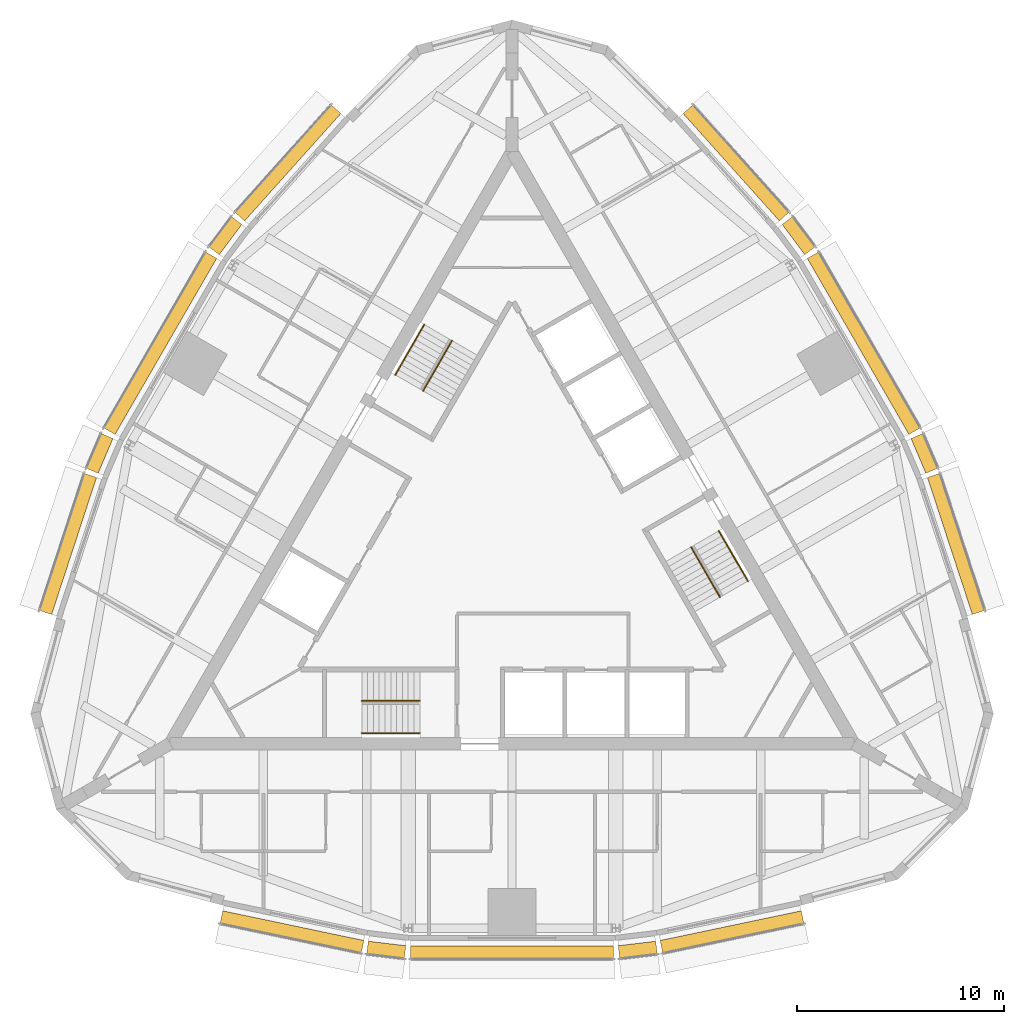
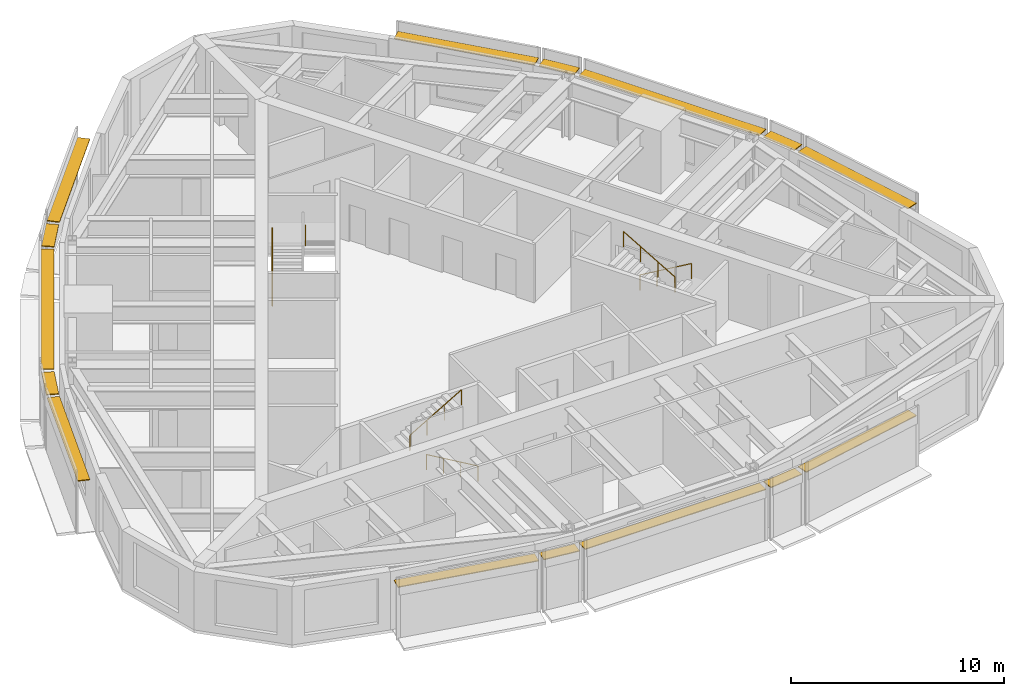
# One storey, part 12 of 12: 15 shading devices, 6 railings.
"""IFC4 building model written with IfcOpenShell, lengths in metres."""

from ifc_helpers import new_model, si_unit, direction, frame, origin, origin_2d, place, context, subcontext, project, spatial, rectangle, circle, extrude, material, type_object, element, save


model = new_model("IFC4")

# Units and contexts
model_context = context("Model", 3, precision=1e-05, world=origin(), true_north=direction((0.0, 1.0)))
body_context = subcontext(model_context, "Body", "Model", "MODEL_VIEW")
ifc_project = project(units=[si_unit("LENGTHUNIT", "METRE"), si_unit("AREAUNIT", "SQUARE_METRE"), si_unit("VOLUMEUNIT", "CUBIC_METRE"), si_unit("PLANEANGLEUNIT", "RADIAN"), si_unit("MASSUNIT", "GRAM", prefix="KILO")], contexts=[model_context])

# Site, building, storey
site_placement = place(None, origin())
site = spatial("IfcSite", under=ifc_project, at=site_placement, CompositionType="ELEMENT")
building_placement = place(site_placement, origin())
building = spatial("IfcBuilding", under=site, at=building_placement, Name="Trikona Tower", CompositionType="ELEMENT")
storey_placement = place(building_placement, frame((0.0, 0.0, 271.699951171875)))
storey = spatial("IfcBuildingStorey", under=building, at=storey_placement, Name="L72", CompositionType="ELEMENT", Elevation=271.699951171875)

# Shading devices
ifc_material_1 = material(Name="Aluminium louvre blade, pale anodised", Category="aluminium")
shading_device_type = type_object("IfcShadingDeviceType", Name="Cavity louvre 600", PredefinedType="USERDEFINED", material=ifc_material_1)
shading_device_1_placement = place(storey_placement, frame((-10.6162109375, -18.6083984375, 2.97509765625), z_axis=(0.0, 0.0, 1.0), x_axis=(0.97865342171, -0.205517590916, 0.0)))
element("IfcShadingDevice", 1, at=shading_device_1_placement, inside=storey, type_object=shading_device_type, Name="Cavity louvre L72-00", ObjectType="LOUVRE", PredefinedType="USERDEFINED", context=body_context, shape_type="SweptSolid", body=[
    extrude(rectangle(XDim=6.962646484375, YDim=0.60009765625, at=origin_2d()), origin(), (0.0, 0.0, 1.0), 0.050048828125),
])
shading_device_2_placement = place(storey_placement, frame((-6.0673828125, -19.471435546875, 2.97509765625), z_axis=(0.0, 0.0, 1.0), x_axis=(0.992876783199, -0.11914568135, 0.0)))
element("IfcShadingDevice", 2, at=shading_device_2_placement, inside=storey, type_object=shading_device_type, Name="Cavity louvre L72-01", ObjectType="LOUVRE", PredefinedType="USERDEFINED", context=body_context, shape_type="SweptSolid", body=[
    extrude(rectangle(XDim=1.82421875, YDim=0.60009765625, at=origin_2d()), origin(), (0.0, 0.0, 1.0), 0.050048828125),
])
shading_device_3_placement = place(storey_placement, frame((0.0, -19.595458984375, 2.97509765625), z_axis=(0.0, 0.0, 1.0), x_axis=(1.0, 0.0, 0.0)))
element("IfcShadingDevice", 3, at=shading_device_3_placement, inside=storey, type_object=shading_device_type, Name="Cavity louvre L72-02", ObjectType="LOUVRE", PredefinedType="USERDEFINED", context=body_context, shape_type="SweptSolid", body=[
    extrude(rectangle(XDim=9.81005859375, YDim=0.60009765625, at=origin_2d()), origin(), (0.0, 0.0, 1.0), 0.050048828125),
])
shading_device_4_placement = place(storey_placement, frame((6.0673828125, -19.471435546875, 2.97509765625), z_axis=(0.0, 0.0, 1.0), x_axis=(0.992876783199, 0.11914568135, 0.0)))
element("IfcShadingDevice", 4, at=shading_device_4_placement, inside=storey, type_object=shading_device_type, Name="Cavity louvre L72-03", ObjectType="LOUVRE", PredefinedType="USERDEFINED", context=body_context, shape_type="SweptSolid", body=[
    extrude(rectangle(XDim=1.82421875, YDim=0.60009765625, at=origin_2d()), origin(), (0.0, 0.0, 1.0), 0.050048828125),
])
for number, where, z_axis, x_axis, name in (
    (5, (10.6162109375, -18.6083984375, 2.97509765625), (0.0, 0.0, 1.0), (0.97865342171, 0.205517590916, 0.0), "Cavity louvre L72-04"),
    (6, (21.423583984375, 0.1103515625, 2.97509765625), (0.0, 0.0, 1.0), (-0.311336621861, 0.950299693722, 0.0), "Cavity louvre L72-09"),
):
    element("IfcShadingDevice", number, at=place(storey_placement, frame(where, z_axis=z_axis, x_axis=x_axis)), inside=storey, type_object=shading_device_type, Name=name, ObjectType="LOUVRE", PredefinedType="USERDEFINED", context=body_context, shape_type="SweptSolid", body=[
        extrude(rectangle(XDim=6.962646484375, YDim=0.60009765625, at=origin_2d()), origin(), (0.0, 0.0, 1.0), 0.050048828125),
    ])
shading_device_5_placement = place(storey_placement, frame((19.896484375, 4.481201171875, 2.97509765625), z_axis=(0.0, 0.0, 1.0), x_axis=(-0.39328408933, 0.919417002823, 0.0)))
element("IfcShadingDevice", 7, at=shading_device_5_placement, inside=storey, type_object=shading_device_type, Name="Cavity louvre L72-10", ObjectType="LOUVRE", PredefinedType="USERDEFINED", context=body_context, shape_type="SweptSolid", body=[
    extrude(rectangle(XDim=1.82421875, YDim=0.60009765625, at=origin_2d()), origin(), (0.0, 0.0, 1.0), 0.050048828125),
])
shading_device_6_placement = place(storey_placement, frame((16.97021484375, 9.797607421875, 2.97509765625), z_axis=(0.0, 0.0, 1.0), x_axis=(-0.4999984885, 0.866026276448, 0.0)))
element("IfcShadingDevice", 8, at=shading_device_6_placement, inside=storey, type_object=shading_device_type, Name="Cavity louvre L72-11", ObjectType="LOUVRE", PredefinedType="USERDEFINED", context=body_context, shape_type="SweptSolid", body=[
    extrude(rectangle(XDim=9.81005859375, YDim=0.60009765625, at=origin_2d()), origin(), (0.0, 0.0, 1.0), 0.050048828125),
])
shading_device_7_placement = place(storey_placement, frame((13.8291015625, 14.990234375, 2.97509765625), z_axis=(0.0, 0.0, 1.0), x_axis=(-0.599618784879, 0.800285769472, 0.0)))
element("IfcShadingDevice", 9, at=shading_device_7_placement, inside=storey, type_object=shading_device_type, Name="Cavity louvre L72-12", ObjectType="LOUVRE", PredefinedType="USERDEFINED", context=body_context, shape_type="SweptSolid", body=[
    extrude(rectangle(XDim=1.82421875, YDim=0.60009765625, at=origin_2d()), origin(), (0.0, 0.0, 1.0), 0.050048828125),
])
for number, where, z_axis, x_axis, name in (
    (10, (10.807373046875, 18.498046875, 2.97509765625), (0.0, 0.0, 1.0), (-0.667311465398, 0.744778764566, 0.0), "Cavity louvre L72-13"),
    (11, (-10.807373046875, 18.498046875, 2.97509765625), (0.0, 0.0, 1.0), (-0.667311465398, -0.744778764566, 0.0), "Cavity louvre L72-18"),
):
    element("IfcShadingDevice", number, at=place(storey_placement, frame(where, z_axis=z_axis, x_axis=x_axis)), inside=storey, type_object=shading_device_type, Name=name, ObjectType="LOUVRE", PredefinedType="USERDEFINED", context=body_context, shape_type="SweptSolid", body=[
        extrude(rectangle(XDim=6.962646484375, YDim=0.60009765625, at=origin_2d()), origin(), (0.0, 0.0, 1.0), 0.050048828125),
    ])
shading_device_8_placement = place(storey_placement, frame((-13.8291015625, 14.990234375, 2.97509765625), z_axis=(0.0, 0.0, 1.0), x_axis=(-0.599618784879, -0.800285769472, 0.0)))
element("IfcShadingDevice", 12, at=shading_device_8_placement, inside=storey, type_object=shading_device_type, Name="Cavity louvre L72-19", ObjectType="LOUVRE", PredefinedType="USERDEFINED", context=body_context, shape_type="SweptSolid", body=[
    extrude(rectangle(XDim=1.82421875, YDim=0.60009765625, at=origin_2d()), origin(), (0.0, 0.0, 1.0), 0.050048828125),
])
shading_device_9_placement = place(storey_placement, frame((-16.97021484375, 9.797607421875, 2.97509765625), z_axis=(0.0, 0.0, 1.0), x_axis=(-0.4999984885, -0.866026276448, 0.0)))
element("IfcShadingDevice", 13, at=shading_device_9_placement, inside=storey, type_object=shading_device_type, Name="Cavity louvre L72-20", ObjectType="LOUVRE", PredefinedType="USERDEFINED", context=body_context, shape_type="SweptSolid", body=[
    extrude(rectangle(XDim=9.81005859375, YDim=0.60009765625, at=origin_2d()), origin(), (0.0, 0.0, 1.0), 0.050048828125),
])
shading_device_10_placement = place(storey_placement, frame((-19.896484375, 4.481201171875, 2.97509765625), z_axis=(0.0, 0.0, 1.0), x_axis=(-0.39328408933, -0.919417002823, 0.0)))
element("IfcShadingDevice", 14, at=shading_device_10_placement, inside=storey, type_object=shading_device_type, Name="Cavity louvre L72-21", ObjectType="LOUVRE", PredefinedType="USERDEFINED", context=body_context, shape_type="SweptSolid", body=[
    extrude(rectangle(XDim=1.82421875, YDim=0.60009765625, at=origin_2d()), origin(), (0.0, 0.0, 1.0), 0.050048828125),
])
shading_device_11_placement = place(storey_placement, frame((-21.423583984375, 0.1103515625, 2.97509765625), z_axis=(0.0, 0.0, 1.0), x_axis=(-0.311336621861, -0.950299693722, 0.0)))
element("IfcShadingDevice", 15, at=shading_device_11_placement, inside=storey, type_object=shading_device_type, Name="Cavity louvre L72-22", ObjectType="LOUVRE", PredefinedType="USERDEFINED", context=body_context, shape_type="SweptSolid", body=[
    extrude(rectangle(XDim=6.962646484375, YDim=0.60009765625, at=origin_2d()), origin(), (0.0, 0.0, 1.0), 0.050048828125),
])

# Railings
ifc_material_2 = material(Name="Stainless steel handrail", Category="steel")
railing_type = type_object("IfcRailingType", Name="Stair handrail", PredefinedType="HANDRAIL", material=ifc_material_2)
railing_1_placement = place(storey_placement, frame((-4.449951171875, -9.016357421875, 0.16357421875)))
element("IfcRailing", 16, at=railing_1_placement, inside=storey, type_object=railing_type, Name="Stair handrail A L72 1", PredefinedType="HANDRAIL", context=body_context, shape_type="SweptSolid", body=[
    extrude(circle(Radius=0.02392578125, at=origin_2d()), frame((0.0, 0.0, 0.8759765625), z_axis=(-0.863360870873, 0.0, 0.504586966384), x_axis=(0.0, -1.0, 0.0)), (0.0, 0.0, 1.0), 3.2431640625),
    extrude(circle(Radius=0.02099609375, at=origin_2d()), origin(), (0.0, 0.0, 1.0), 0.851806640625),
    extrude(circle(Radius=0.02099609375, at=origin_2d()), frame((-0.933349609375, 0.0, 0.54541015625)), (0.0, 0.0, 1.0), 0.851806640625),
    extrude(circle(Radius=0.02099609375, at=origin_2d()), frame((-1.86669921875, 0.0, 1.091064453125)), (0.0, 0.0, 1.0), 0.851806640625),
    extrude(circle(Radius=0.02099609375, at=origin_2d()), frame((-2.800048828125, 0.0, 1.636474609375)), (0.0, 0.0, 1.0), 0.851806640625),
])
railing_2_placement = place(storey_placement, frame((-7.25, -7.46630859375, 1.963623046875)))
element("IfcRailing", 17, at=railing_2_placement, inside=storey, type_object=railing_type, Name="Stair handrail A L72 2", PredefinedType="HANDRAIL", context=body_context, shape_type="SweptSolid", body=[
    extrude(circle(Radius=0.02392578125, at=origin_2d()), frame((0.0, 0.0, 0.8759765625), z_axis=(0.863360870873, 0.0, 0.504586966384), x_axis=(0.0, 1.0, 0.0)), (0.0, 0.0, 1.0), 3.2431640625),
    extrude(circle(Radius=0.02099609375, at=origin_2d()), origin(), (0.0, 0.0, 1.0), 0.851806640625),
    extrude(circle(Radius=0.02099609375, at=origin_2d()), frame((0.933349609375, 0.0, 0.54541015625)), (0.0, 0.0, 1.0), 0.851806640625),
    extrude(circle(Radius=0.02099609375, at=origin_2d()), frame((1.86669921875, 0.0, 1.091064453125)), (0.0, 0.0, 1.0), 0.851806640625),
    extrude(circle(Radius=0.02099609375, at=origin_2d()), frame((2.800048828125, 0.0, 1.636474609375)), (0.0, 0.0, 1.0), 0.851806640625),
])
railing_3_placement = place(storey_placement, frame((9.9833984375, 0.740966796875, 0.16357421875)))
element("IfcRailing", 18, at=railing_3_placement, inside=storey, type_object=railing_type, Name="Stair handrail B L72 1", PredefinedType="HANDRAIL", context=body_context, shape_type="SweptSolid", body=[
    extrude(circle(Radius=0.02392578125, at=origin_2d()), frame((0.0, 0.0, 0.8759765625), z_axis=(0.431636334334, -0.747723004699, 0.504579412111), x_axis=(0.866056369097, 0.49994636267, 0.0)), (0.0, 0.0, 1.0), 3.2431640625),
    extrude(circle(Radius=0.02099609375, at=origin_2d()), origin(), (0.0, 0.0, 1.0), 0.851806640625),
    extrude(circle(Radius=0.02099609375, at=origin_2d()), frame((0.466552734375, -0.808349609375, 0.54541015625)), (0.0, 0.0, 1.0), 0.851806640625),
    extrude(circle(Radius=0.02099609375, at=origin_2d()), frame((0.933349609375, -1.61669921875, 1.091064453125)), (0.0, 0.0, 1.0), 0.851806640625),
    extrude(circle(Radius=0.02099609375, at=origin_2d()), frame((1.39990234375, -2.425048828125, 1.636474609375)), (0.0, 0.0, 1.0), 0.851806640625),
])
railing_4_placement = place(storey_placement, frame((10.041015625, -2.458984375, 1.963623046875)))
element("IfcRailing", 19, at=railing_4_placement, inside=storey, type_object=railing_type, Name="Stair handrail B L72 2", PredefinedType="HANDRAIL", context=body_context, shape_type="SweptSolid", body=[
    extrude(circle(Radius=0.02392578125, at=origin_2d()), frame((0.0, 0.0, 0.8759765625), z_axis=(-0.431636334334, 0.747723004699, 0.504579412111), x_axis=(-0.866056369097, -0.49994636267, 0.0)), (0.0, 0.0, 1.0), 3.2431640625),
    extrude(circle(Radius=0.02099609375, at=origin_2d()), origin(), (0.0, 0.0, 1.0), 0.851806640625),
    extrude(circle(Radius=0.02099609375, at=origin_2d()), frame((-0.466552734375, 0.808349609375, 0.54541015625)), (0.0, 0.0, 1.0), 0.851806640625),
    extrude(circle(Radius=0.02099609375, at=origin_2d()), frame((-0.933349609375, 1.61669921875, 1.091064453125)), (0.0, 0.0, 1.0), 0.851806640625),
    extrude(circle(Radius=0.02099609375, at=origin_2d()), frame((-1.39990234375, 2.425048828125, 1.636474609375)), (0.0, 0.0, 1.0), 0.851806640625),
])
railing_5_placement = place(storey_placement, frame((-5.63330078125, 8.275390625, 0.16357421875)))
element("IfcRailing", 20, at=railing_5_placement, inside=storey, type_object=railing_type, Name="Stair handrail C L72 1", PredefinedType="HANDRAIL", context=body_context, shape_type="SweptSolid", body=[
    extrude(circle(Radius=0.02392578125, at=origin_2d()), frame((0.0, 0.0, 0.8759765625), z_axis=(0.431660630283, 0.747689811644, 0.504607813879), x_axis=(-0.866034573852, 0.49998411664, 0.0)), (0.0, 0.0, 1.0), 3.2431640625),
    extrude(circle(Radius=0.02099609375, at=origin_2d()), origin(), (0.0, 0.0, 1.0), 0.851806640625),
    extrude(circle(Radius=0.02099609375, at=origin_2d()), frame((0.466552734375, 0.808349609375, 0.54541015625)), (0.0, 0.0, 1.0), 0.851806640625),
    extrude(circle(Radius=0.02099609375, at=origin_2d()), frame((0.933349609375, 1.616455078125, 1.091064453125)), (0.0, 0.0, 1.0), 0.851806640625),
    extrude(circle(Radius=0.02099609375, at=origin_2d()), frame((1.39990234375, 2.4248046875, 1.636474609375)), (0.0, 0.0, 1.0), 0.851806640625),
])
railing_6_placement = place(storey_placement, frame((-2.89111328125, 9.92529296875, 1.963623046875)))
element("IfcRailing", 21, at=railing_6_placement, inside=storey, type_object=railing_type, Name="Stair handrail C L72 2", PredefinedType="HANDRAIL", context=body_context, shape_type="SweptSolid", body=[
    extrude(circle(Radius=0.02392578125, at=origin_2d()), frame((0.0, 0.0, 0.8759765625), z_axis=(-0.431636334334, -0.747723004699, 0.504579412111), x_axis=(0.866056369097, -0.49994636267, 0.0)), (0.0, 0.0, 1.0), 3.2431640625),
    extrude(circle(Radius=0.02099609375, at=origin_2d()), origin(), (0.0, 0.0, 1.0), 0.851806640625),
    extrude(circle(Radius=0.02099609375, at=origin_2d()), frame((-0.466552734375, -0.808349609375, 0.54541015625)), (0.0, 0.0, 1.0), 0.851806640625),
    extrude(circle(Radius=0.02099609375, at=origin_2d()), frame((-0.933349609375, -1.61669921875, 1.091064453125)), (0.0, 0.0, 1.0), 0.851806640625),
    extrude(circle(Radius=0.02099609375, at=origin_2d()), frame((-1.39990234375, -2.425048828125, 1.636474609375)), (0.0, 0.0, 1.0), 0.851806640625),
])

save(model, "model.ifc")
